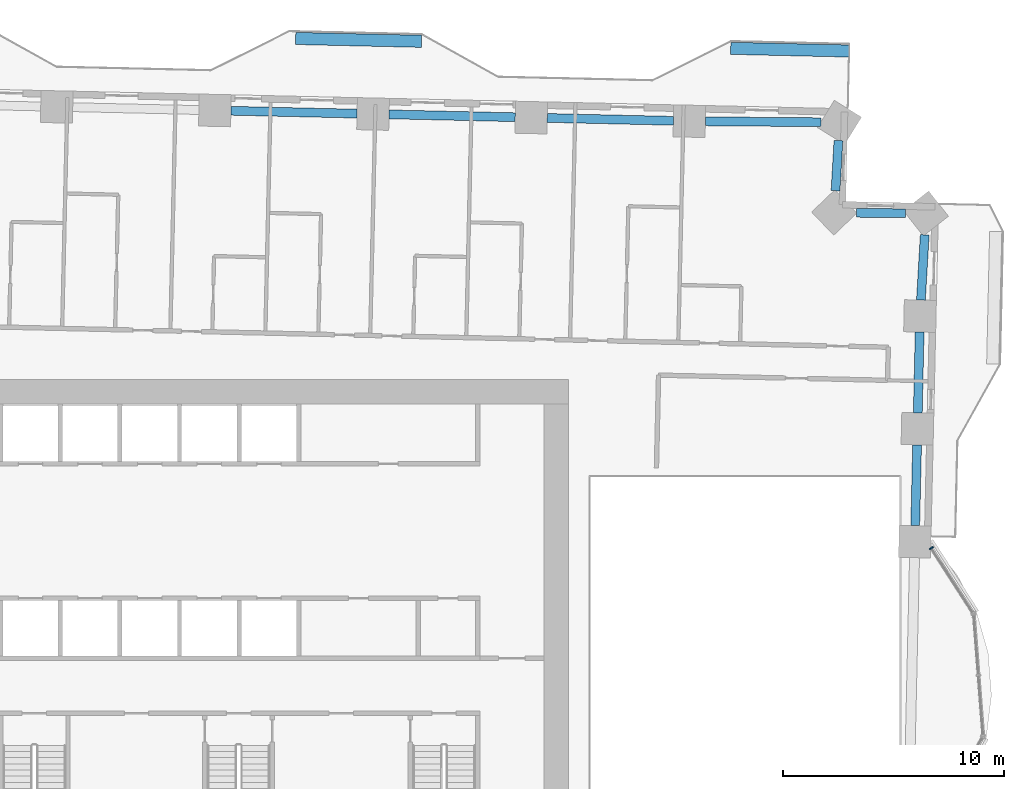
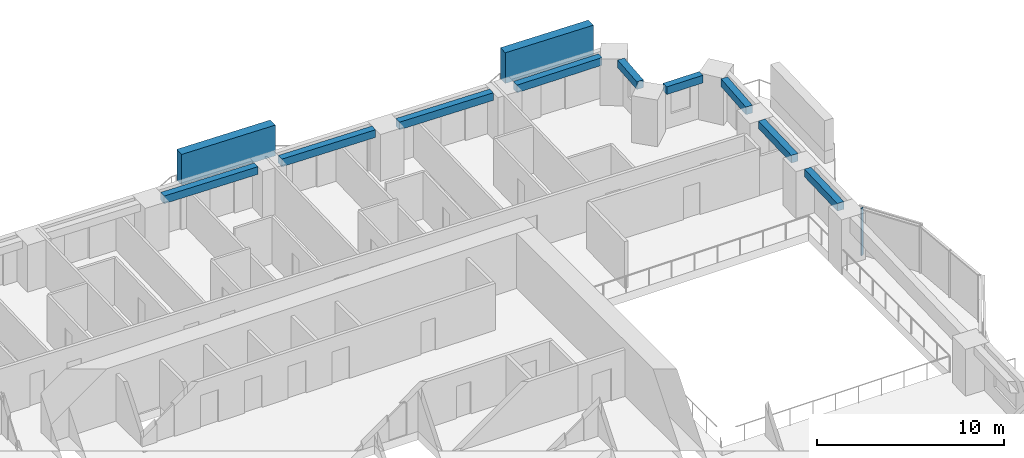
# One storey, part 4 of 18: 9 beams, 3 members, 1 element without a shape of its own.
"""IFC4 building model written with IfcOpenShell, lengths in metres."""

from ifc_helpers import new_model, si_unit, direction, frame, origin, origin_2d, place, context, subcontext, project, spatial, rectangle, extrude, material, material_profile, profile_set, type_object, element, aggregate, save


model = new_model("IFC4")

# Units and contexts
model_context = context("Model", 3, precision=1e-05, world=origin(), true_north=direction((0.0, 1.0)))
body_context = subcontext(model_context, "Body", "Model", "MODEL_VIEW")
ifc_project = project(units=[si_unit("LENGTHUNIT", "METRE"), si_unit("AREAUNIT", "SQUARE_METRE"), si_unit("VOLUMEUNIT", "CUBIC_METRE"), si_unit("PLANEANGLEUNIT", "RADIAN"), si_unit("MASSUNIT", "GRAM", prefix="KILO")], contexts=[model_context])

# Site, building, storey
site_placement = place(None, origin())
site = spatial("IfcSite", under=ifc_project, at=site_placement, CompositionType="ELEMENT")
building_placement = place(site_placement, origin())
building = spatial("IfcBuilding", under=site, at=building_placement, Name="Mangrove Gate Tower", CompositionType="ELEMENT")
storey_placement = place(building_placement, frame((0.0, 0.0, 71.10009765625)))
storey = spatial("IfcBuildingStorey", under=building, at=storey_placement, Name="L17", CompositionType="ELEMENT", Elevation=71.10009765625)

# Curtain wall, member
ifc_material_1 = material(Name="Aluminium and glass curtain wall", Category="aluminium")
curtain_wall_type = type_object("IfcCurtainWallType", Name="Atrium garden-court glazing wall", PredefinedType="NOTDEFINED", material=ifc_material_1)
curtain_wall_placement = place(storey_placement, origin())
curtain_wall = element("IfcCurtainWall", 1, at=curtain_wall_placement, inside=storey, type_object=curtain_wall_type, Name="Atrium garden-court glazing E1f3", PredefinedType="NOTDEFINED")
ifc_material_2 = material(Name="Aluminium alloy 6063-T6", Category="aluminium")
ifc_material_profile_1 = material_profile(ifc_material_2, rectangle(XDim=0.070068359375, YDim=0.199951171875, at=origin_2d()))
ifc_profile_set_1 = profile_set([ifc_material_profile_1], Name="Aluminium alloy 6063-T6")
member_type_1 = type_object("IfcMemberType", Name="Atrium garden-court glazing mullion 70x200", PredefinedType="MULLION", material=ifc_profile_set_1)
member_1_placement = place(storey_placement, frame((31.33935546875, 4.2783203125, 0.0), z_axis=(0.0, 0.0, 1.0), x_axis=(-0.540524576597, 0.841328224948, 0.0)))
member_1 = element("IfcMember", 2, at=member_1_placement, type_object=member_type_1, Name="CWA mullion 2", PredefinedType="MULLION", context=body_context, shape_type="SweptSolid", body=[
    extrude(rectangle(XDim=0.070068359375, YDim=0.199951171875, at=origin_2d()), origin(), (0.0, 0.0, 1.0), 3.0498046875),
])
aggregate(curtain_wall, [member_1])

# Members
ifc_material_3 = material(Name="Planting on aluminium trellis", Category="aluminium")
ifc_material_profile_2 = material_profile(ifc_material_3, rectangle(XDim=0.550048828125, YDim=2.0, at=origin_2d()))
ifc_profile_set_2 = profile_set([ifc_material_profile_2], Name="Planting on aluminium trellis")
member_type_2 = type_object("IfcMemberType", Name="Balcony greenery screen 550x2000", PredefinedType="USERDEFINED", material=ifc_profile_set_2)
member_2_placement = place(storey_placement, frame((2.55810546875, 27.35107421875, 1.7998046875), z_axis=(0.999739419866, -0.022827447663, 0.0), x_axis=(0.022827447663, 0.999739419866, 0.0)))
element("IfcMember", 3, at=member_2_placement, inside=storey, type_object=member_type_2, Name="GREEN SCREEN L17 N0.1", ObjectType="PLANTING", PredefinedType="USERDEFINED", context=body_context, shape_type="SweptSolid", body=[
    extrude(rectangle(XDim=0.550048828125, YDim=2.0, at=origin_2d()), origin(), (0.0, 0.0, 1.0), 5.700439453125),
])
member_3_placement = place(storey_placement, frame((22.2529296875, 26.904052734375, 1.7998046875), z_axis=(0.999741459769, -0.022737933492, 0.0), x_axis=(0.022737933492, 0.999741459769, 0.0)))
element("IfcMember", 4, at=member_3_placement, inside=storey, type_object=member_type_2, Name="GREEN SCREEN L17 N0.2", ObjectType="PLANTING", PredefinedType="USERDEFINED", context=body_context, shape_type="SweptSolid", body=[
    extrude(rectangle(XDim=0.550048828125, YDim=2.0, at=origin_2d()), origin(), (0.0, 0.0, 1.0), 5.36865234375),
])

# Beams
ifc_material_4 = material(Name="Concrete C50/60", Category="concrete")
ifc_material_profile_3 = material_profile(ifc_material_4, rectangle(XDim=0.39990234375, YDim=0.5, at=origin_2d()))
ifc_profile_set_3 = profile_set([ifc_material_profile_3], Name="Concrete C50/60")
beam_type = type_object("IfcBeamType", Name="Edge beam RC 400x500 C50/60", PredefinedType="BEAM", material=ifc_profile_set_3)
beam_1_placement = place(storey_placement, frame((30.607666015625, 5.294189453125, 2.7998046875), z_axis=(0.022689571451, 0.999742558536, 0.0), x_axis=(-0.999742558536, 0.022689571451, 0.0)))
element("IfcBeam", 5, at=beam_1_placement, inside=storey, type_object=beam_type, Name="Edge beam L17 17", PredefinedType="BEAM", context=body_context, shape_type="SweptSolid", body=[
    extrude(rectangle(XDim=0.39990234375, YDim=0.5, at=origin_2d()), origin(), (0.0, 0.0, 1.0), 3.658447265625),
])
beam_2_placement = place(storey_placement, frame((30.7236328125, 10.4013671875, 2.7998046875), z_axis=(0.022691085328, 0.999742524176, 0.0), x_axis=(-0.999742524176, 0.022691085328, 0.0)))
element("IfcBeam", 6, at=beam_2_placement, inside=storey, type_object=beam_type, Name="Edge beam L17 18", PredefinedType="BEAM", context=body_context, shape_type="SweptSolid", body=[
    extrude(rectangle(XDim=0.39990234375, YDim=0.5, at=origin_2d()), origin(), (0.0, 0.0, 1.0), 3.658203125),
])
beam_3_placement = place(storey_placement, frame((30.865478515625, 15.5078125, 2.7998046875), z_axis=(0.058131471551, 0.998308936159, 0.0), x_axis=(-0.998308936159, 0.058131471551, 0.0)))
element("IfcBeam", 7, at=beam_3_placement, inside=storey, type_object=beam_type, Name="Edge beam L17 19", PredefinedType="BEAM", context=body_context, shape_type="SweptSolid", body=[
    extrude(rectangle(XDim=0.39990234375, YDim=0.5, at=origin_2d()), origin(), (0.0, 0.0, 1.0), 2.95654296875),
])
beam_4_placement = place(storey_placement, frame((30.16455078125, 19.43505859375, 2.7998046875), z_axis=(-0.999947273527, 0.010268893158, 0.0), x_axis=(-0.010268893158, -0.999947273527, 0.0)))
element("IfcBeam", 8, at=beam_4_placement, inside=storey, type_object=beam_type, Name="Edge beam L17 20", PredefinedType="BEAM", context=body_context, shape_type="SweptSolid", body=[
    extrude(rectangle(XDim=0.39990234375, YDim=0.5, at=origin_2d()), origin(), (0.0, 0.0, 1.0), 2.2109375),
])
beam_5_placement = place(storey_placement, frame((26.99853515625, 20.45703125, 2.7998046875), z_axis=(0.058256613778, 0.998301641264, 0.0), x_axis=(-0.998301641264, 0.058256613778, 0.0)))
element("IfcBeam", 9, at=beam_5_placement, inside=storey, type_object=beam_type, Name="Edge beam L17 21", PredefinedType="BEAM", context=body_context, shape_type="SweptSolid", body=[
    extrude(rectangle(XDim=0.39990234375, YDim=0.5, at=origin_2d()), origin(), (0.0, 0.0, 1.0), 2.275634765625),
])
beam_6_placement = place(storey_placement, frame((26.331298828125, 23.557861328125, 2.7998046875), z_axis=(-0.999968424917, 0.007946645112, 0.0), x_axis=(-0.007946645112, -0.999968424917, 0.0)))
element("IfcBeam", 10, at=beam_6_placement, inside=storey, type_object=beam_type, Name="Edge beam L17 22", PredefinedType="BEAM", context=body_context, shape_type="SweptSolid", body=[
    extrude(rectangle(XDim=0.39990234375, YDim=0.5, at=origin_2d()), origin(), (0.0, 0.0, 1.0), 5.222900390625),
])
beam_7_placement = place(storey_placement, frame((19.65869140625, 23.62158203125, 2.7998046875), z_axis=(-0.999740465629, 0.022781601889, 0.0), x_axis=(-0.022781601889, -0.999740465629, 0.0)))
element("IfcBeam", 11, at=beam_7_placement, inside=storey, type_object=beam_type, Name="Edge beam L17 23", PredefinedType="BEAM", context=body_context, shape_type="SweptSolid", body=[
    extrude(rectangle(XDim=0.39990234375, YDim=0.5, at=origin_2d()), origin(), (0.0, 0.0, 1.0), 5.7119140625),
])
beam_8_placement = place(storey_placement, frame((12.498779296875, 23.78466796875, 2.7998046875), z_axis=(-0.999744432359, 0.022606856661, 0.0), x_axis=(-0.022606856661, -0.999744432359, 0.0)))
element("IfcBeam", 12, at=beam_8_placement, inside=storey, type_object=beam_type, Name="Edge beam L17 24", PredefinedType="BEAM", context=body_context, shape_type="SweptSolid", body=[
    extrude(rectangle(XDim=0.39990234375, YDim=0.5, at=origin_2d()), origin(), (0.0, 0.0, 1.0), 5.712890625),
])
beam_9_placement = place(storey_placement, frame((5.337646484375, 23.94677734375, 2.7998046875), z_axis=(-0.999741416099, 0.022739853494, 0.0), x_axis=(-0.022739853494, -0.999741416099, 0.0)))
element("IfcBeam", 13, at=beam_9_placement, inside=storey, type_object=beam_type, Name="Edge beam L17 25", PredefinedType="BEAM", context=body_context, shape_type="SweptSolid", body=[
    extrude(rectangle(XDim=0.39990234375, YDim=0.5, at=origin_2d()), origin(), (0.0, 0.0, 1.0), 5.711669921875),
])

save(model, "model.ifc")
